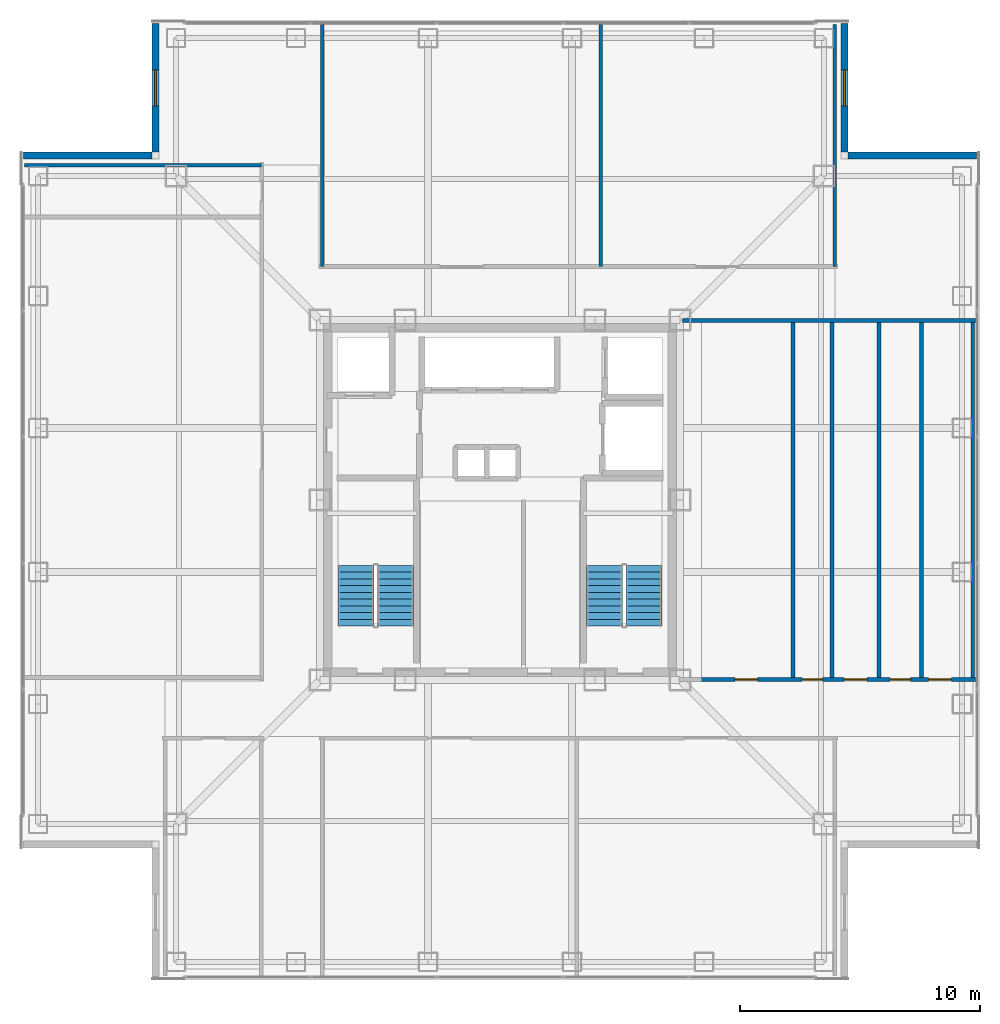
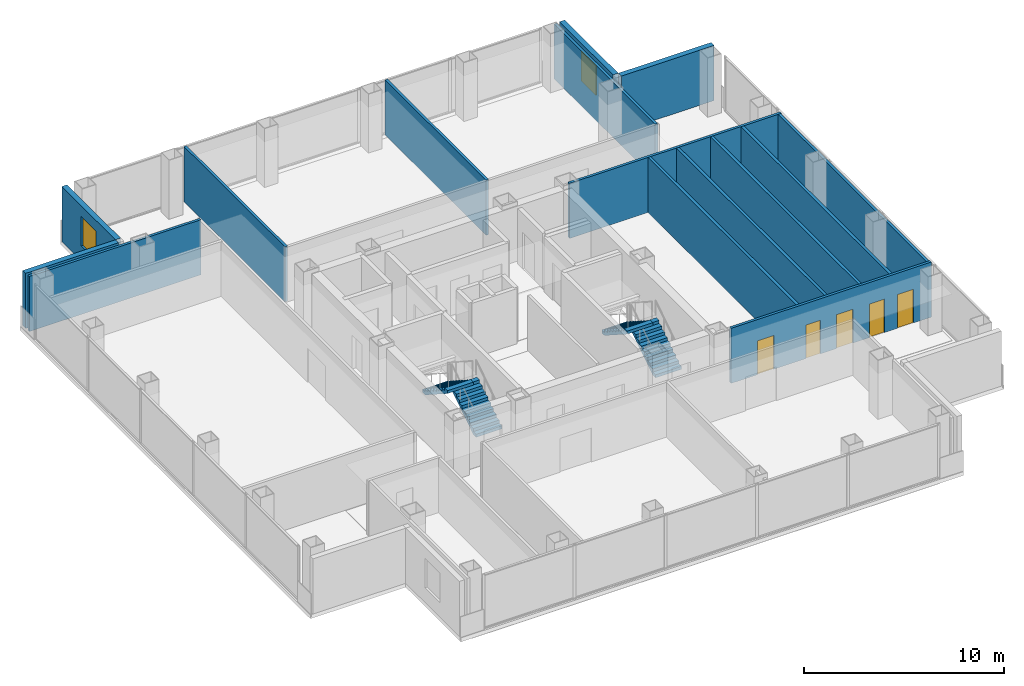
# One storey, part 12 of 18: 15 walls, 5 doors, 4 stair flights, 2 windows, 7 openings, 2 elements without a shape of their own.
"""IFC4 building model written with IfcOpenShell, lengths in metres."""

import ifcopenshell
import ifcopenshell.guid

model = None  # the IFC model being written
_history = None  # IfcOwnerHistory: only IFC2X3 demands one
_inside = {}  # id of a spatial element -> (the spatial element, [elements in it])
_under = {}  # id of a project, library or spatial element -> (it, [spatial elements below it])
_declared = {}  # id of a project -> (the project, [libraries it declares])
_typed = {}  # id of a type object -> (the type object, [elements of that type])
_made_of = {}  # id of a material, layer set ... -> (it, [elements and type objects made of it])


def new_model(schema):
    """Start an empty IFC model of exactly this schema.

    Asked for "IFC4X3", IfcOpenShell would pick the latest addendum, in which some entities
    have other attributes; the version numbers below select the first issue.
    IFC2X3 requires an IfcOwnerHistory on every rooted entity: one is made here for all.
    """
    global model, _history
    if schema == "IFC4X3":
        model = ifcopenshell.file(schema_version=(4, 3, 0, 0))
    else:
        model = ifcopenshell.file(schema=schema)
    _inside.clear()
    _under.clear()
    _declared.clear()
    _typed.clear()
    _made_of.clear()
    _history = None
    if model.schema == "IFC2X3":
        org = make("IfcOrganization", Name="unknown")
        user = make(
            "IfcPersonAndOrganization",
            ThePerson=make("IfcPerson", FamilyName="unknown"),
            TheOrganization=org,
        )
        app = make(
            "IfcApplication",
            ApplicationDeveloper=org,
            Version="unknown",
            ApplicationFullName="unknown",
            ApplicationIdentifier="unknown",
        )
        _history = make(
            "IfcOwnerHistory",
            OwningUser=user,
            OwningApplication=app,
            ChangeAction="ADDED",
            CreationDate=0,
        )
    return model


def make(cls, **values):
    """One entity of the class cls with the attributes given. An attribute that is None is left unset."""
    return model.create_entity(
        cls, **{name: value for name, value in values.items() if value is not None}
    )


def rooted(cls, **values):
    """An entity with a GlobalId (a new one), such as an element, a storey or a relation."""
    return make(cls, GlobalId=ifcopenshell.guid.new(), OwnerHistory=_history, **values)


def si_unit(unit_type, name, prefix=None):
    """IfcSIUnit, for example si_unit("LENGTHUNIT", "METRE", prefix="MILLI")."""
    return make("IfcSIUnit", UnitType=unit_type, Prefix=prefix, Name=name)


def assignment(units):
    """IfcUnitAssignment: the units of a project."""
    return None if units is None else make("IfcUnitAssignment", Units=units)


def point(xyz):
    """IfcCartesianPoint."""
    return None if xyz is None else make("IfcCartesianPoint", Coordinates=xyz)


def direction(xyz):
    """IfcDirection."""
    return None if xyz is None else make("IfcDirection", DirectionRatios=xyz)


def frame(location, z_axis=None, x_axis=None):
    """IfcAxis2Placement3D, a coordinate frame: its origin and axes. An axis left out is left unset."""
    return make(
        "IfcAxis2Placement3D",
        Location=point(location),
        Axis=direction(z_axis),
        RefDirection=direction(x_axis),
    )


def frame_2d(location, x_axis=None):
    """IfcAxis2Placement2D, a coordinate frame in the plane: its origin and x axis."""
    return make(
        "IfcAxis2Placement2D", Location=point(location), RefDirection=direction(x_axis)
    )


def origin():
    """The frame at (0, 0, 0) with its axes left unset."""
    return frame((0.0, 0.0, 0.0))


def place(relative_to, where):
    """IfcLocalPlacement: puts the frame where relative to a parent placement (None: the world)."""
    return make(
        "IfcLocalPlacement", PlacementRelTo=relative_to, RelativePlacement=where
    )


def context(
    kind, dimensions, precision=None, world=None, true_north=None, identifier=None
):
    """IfcGeometricRepresentationContext, for example the 3D "Model" context."""
    return make(
        "IfcGeometricRepresentationContext",
        ContextIdentifier=identifier,
        ContextType=kind,
        CoordinateSpaceDimension=dimensions,
        Precision=precision,
        WorldCoordinateSystem=world,
        TrueNorth=true_north,
    )


def subcontext(parent, identifier, kind, view, scale=None):
    """IfcGeometricRepresentationSubContext, for example "Body" below "Model"."""
    return make(
        "IfcGeometricRepresentationSubContext",
        ContextIdentifier=identifier,
        ContextType=kind,
        ParentContext=parent,
        TargetScale=scale,
        TargetView=view,
    )


def project(units=None, contexts=None):
    """IfcProject with its units and contexts."""
    return rooted(
        "IfcProject",
        Name="project",
        RepresentationContexts=contexts,
        UnitsInContext=assignment(units),
    )


def spatial(cls, under=None, at=None, **own):
    """A site, building, storey or space (cls), placed at a placement, below another one or the project."""
    s = rooted(cls, ObjectPlacement=at, **own)
    if under is not None:
        _under.setdefault(under.id(), (under, []))[1].append(s)
    return s


def polyline(points):
    """IfcPolyline through the points."""
    return make("IfcPolyline", Points=[point(p) for p in points])


def profile(cls, at=None, kind="AREA", **sizes):
    """A parametric profile (cls). Its sizes go by their IFC names, for example OverallWidth=200.0."""
    return make(cls, ProfileType=kind, Position=at, **sizes)


def rectangle(**sizes):
    """IfcRectangleProfileDef."""
    return profile("IfcRectangleProfileDef", **sizes)


def outline(outer, holes=None, kind="AREA"):
    """IfcArbitraryClosedProfileDef: a profile drawn as a closed curve; with holes, ...WithVoids."""
    if holes is None:
        return make("IfcArbitraryClosedProfileDef", ProfileType=kind, OuterCurve=outer)
    return make(
        "IfcArbitraryProfileDefWithVoids",
        ProfileType=kind,
        OuterCurve=outer,
        InnerCurves=holes,
    )


def extrude(swept, where, along, depth):
    """IfcExtrudedAreaSolid: the profile swept, set in the frame where, extruded along a direction by depth."""
    return make(
        "IfcExtrudedAreaSolid",
        SweptArea=swept,
        Position=where,
        ExtrudedDirection=direction(along),
        Depth=depth,
    )


def shape(context_of_items, identifier, shape_type, items):
    """IfcShapeRepresentation: the items that make up one representation, for example the "Body"."""
    return make(
        "IfcShapeRepresentation",
        ContextOfItems=context_of_items,
        RepresentationIdentifier=identifier,
        RepresentationType=shape_type,
        Items=items,
    )


def material(Name=None, Category=None):
    """IfcMaterial."""
    return make("IfcMaterial", Name=Name, Category=Category)


def layer(
    of_material, thickness, ventilated=None, Name=None, Category=None, Priority=None
):
    """IfcMaterialLayer: one layer of a wall or slab, of a material (None: an air gap)."""
    return make(
        "IfcMaterialLayer",
        Material=of_material,
        LayerThickness=thickness,
        IsVentilated=ventilated,
        Name=Name,
        Category=Category,
        Priority=Priority,
    )


def layer_set(layers, Name=None):
    """IfcMaterialLayerSet."""
    return make("IfcMaterialLayerSet", MaterialLayers=layers, LayerSetName=Name)


def made_of(thing, what):
    """Note that an element or type object is made of a material, layer set ...; save() writes the relation."""
    if what is not None:
        _made_of.setdefault(what.id(), (what, []))[1].append(thing)
    return thing


def type_object(cls, material=None, **own):
    """A type object (cls), such as IfcWallType, which elements share."""
    return made_of(rooted(cls, **own), material)


def element(
    cls,
    number,
    at=None,
    inside=None,
    cuts=None,
    type_object=None,
    material=None,
    context=None,
    identifier="Body",
    shape_type=None,
    held_by="IfcProductDefinitionShape",
    body=None,
    shapes=None,
    **own,
):
    """One element of the class cls, such as IfcWall. Its Tag is "e" and its number.

    at: its placement. inside: the storey or other place that contains it. cuts: it is an
    opening in that element (IfcRelVoidsElement). A single representation is given by context,
    identifier, shape_type and body (its items); several are given by shapes. held_by: the class
    of the entity that holds the representations. save() writes the other relations.
    """
    e = rooted(cls, Tag="e%d" % number, ObjectPlacement=at, **own)
    if body is not None:
        shapes = [shape(context, identifier, shape_type, body)]
    if shapes is not None:
        e.Representation = make(held_by, Representations=shapes)
    if inside is not None:
        _inside.setdefault(inside.id(), (inside, []))[1].append(e)
    if cuts is not None:
        rooted(
            "IfcRelVoidsElement", RelatingBuildingElement=cuts, RelatedOpeningElement=e
        )
    if type_object is not None:
        _typed.setdefault(type_object.id(), (type_object, []))[1].append(e)
    return made_of(e, material)


def fill(opening, filler):
    """IfcRelFillsElement: the door or window that sits in an opening."""
    return rooted(
        "IfcRelFillsElement",
        RelatingOpeningElement=opening,
        RelatedBuildingElement=filler,
    )


def aggregate(whole, parts):
    """IfcRelAggregates: a whole, such as a stair, and the parts it consists of."""
    return rooted("IfcRelAggregates", RelatingObject=whole, RelatedObjects=parts)


def save(model, path):
    """Write the relations noted so far, then the file.

    IfcRelAggregates (storeys below a building ...), IfcRelContainedInSpatialStructure (elements
    in a storey), IfcRelDefinesByType, IfcRelAssociatesMaterial and IfcRelDeclares: one each for
    every whole, place, type object, material and project.
    """
    for whole, parts in _under.values():
        aggregate(whole, parts)
    for where, things in _inside.values():
        rooted(
            "IfcRelContainedInSpatialStructure",
            RelatedElements=things,
            RelatingStructure=where,
        )
    for kind, things in _typed.values():
        rooted("IfcRelDefinesByType", RelatedObjects=things, RelatingType=kind)
    for what, things in _made_of.values():
        rooted("IfcRelAssociatesMaterial", RelatedObjects=things, RelatingMaterial=what)
    for by, libraries in _declared.values():
        rooted("IfcRelDeclares", RelatingContext=by, RelatedDefinitions=libraries)
    model.write(path)


model = new_model("IFC4")

# Units and contexts
model_context = context("Model", 3, precision=1e-05, world=origin(), true_north=direction((0.0, 1.0)))
body_context = subcontext(model_context, "Body", "Model", "MODEL_VIEW")
ifc_project = project(units=[si_unit("LENGTHUNIT", "METRE"), si_unit("AREAUNIT", "SQUARE_METRE"), si_unit("VOLUMEUNIT", "CUBIC_METRE"), si_unit("PLANEANGLEUNIT", "RADIAN"), si_unit("MASSUNIT", "GRAM", prefix="KILO")], contexts=[model_context])

# Site, building, storey
site_placement = place(None, origin())
site = spatial("IfcSite", under=ifc_project, at=site_placement, CompositionType="ELEMENT")
building_placement = place(site_placement, origin())
building = spatial("IfcBuilding", under=site, at=building_placement, Name="Trevonay Congress Spire", CompositionType="ELEMENT")
storey_placement = place(building_placement, frame((0.0, 0.0, 198.60009765625)))
storey = spatial("IfcBuildingStorey", under=building, at=storey_placement, Name="L51", CompositionType="ELEMENT", Elevation=198.60009765625)

# Wall, openings, doors
ifc_material_1 = material(Name="Concrete C40/50", Category="concrete")
ifc_layer_1 = layer(ifc_material_1, 0.14990234375, Name="Concrete C40/50")
ifc_layer_set_1 = layer_set([ifc_layer_1], Name="Concrete C40/50")
wall_type_1 = type_object("IfcWallType", Name="WAL-CORR-150", PredefinedType="PARTITIONING", material=ifc_layer_set_1)
wall_1_placement = place(storey_placement, frame((8.280029296875, -7.47998046875, 0.0), z_axis=(0.0, 0.0, 1.0), x_axis=(1.0, 0.0, 0.0)))
wall_1 = element("IfcWall", 1, at=wall_1_placement, inside=storey, type_object=wall_type_1, Name="L51 interior wall WP-L51E-COR", PredefinedType="PARTITIONING", context=body_context, shape_type="SweptSolid", body=[
    extrude(rectangle(XDim=11.5400390625, YDim=0.14990234375, at=frame_2d((5.77001953125, 0.0))), origin(), (0.0, 0.0, 1.0), 3.35986328125),
])
opening_1_placement = place(wall_1_placement, frame((1.5048828125, 0.0, 0.0)))
opening_1 = element("IfcOpeningElement", 2, at=opening_1_placement, cuts=wall_1, Name="Opening D07", PredefinedType="OPENING", context=body_context, shape_type="SweptSolid", body=[
    extrude(rectangle(XDim=0.949951171875, YDim=2.06005859375, at=frame_2d((0.47509765625, 1.030029296875))), frame((0.0, 0.0849609375, 0.0), z_axis=(0.0, -1.0, 0.0), x_axis=(1.0, 0.0, 0.0)), (0.0, 0.0, 1.0), 0.169921875),
])
opening_2_placement = place(wall_1_placement, frame((4.31005859375, 0.0, 0.0)))
opening_2 = element("IfcOpeningElement", 3, at=opening_2_placement, cuts=wall_1, Name="Opening D10", PredefinedType="OPENING", context=body_context, shape_type="SweptSolid", body=[
    extrude(rectangle(XDim=0.85009765625, YDim=2.050048828125, at=frame_2d((0.425048828125, 1.02490234375))), frame((0.0, 0.0849609375, 0.0), z_axis=(0.0, -1.0, 0.0), x_axis=(1.0, 0.0, 0.0)), (0.0, 0.0, 1.0), 0.169921875),
])
opening_3_placement = place(wall_1_placement, frame((6.06005859375, 0.0, 0.0)))
opening_3 = element("IfcOpeningElement", 4, at=opening_3_placement, cuts=wall_1, Name="Opening D07", PredefinedType="OPENING", context=body_context, shape_type="SweptSolid", body=[
    extrude(rectangle(XDim=0.949951171875, YDim=2.06005859375, at=frame_2d((0.47509765625, 1.030029296875))), frame((0.0, 0.0849609375, 0.0), z_axis=(0.0, -1.0, 0.0), x_axis=(1.0, 0.0, 0.0)), (0.0, 0.0, 1.0), 0.169921875),
])
opening_4_placement = place(wall_1_placement, frame((7.97509765625, 0.0, 0.0)))
opening_4 = element("IfcOpeningElement", 5, at=opening_4_placement, cuts=wall_1, Name="Opening D10", PredefinedType="OPENING", context=body_context, shape_type="SweptSolid", body=[
    extrude(rectangle(XDim=0.85009765625, YDim=2.050048828125, at=frame_2d((0.425048828125, 1.02490234375))), frame((0.0, 0.0849609375, 0.0), z_axis=(0.0, -1.0, 0.0), x_axis=(1.0, 0.0, 0.0)), (0.0, 0.0, 1.0), 0.169921875),
])
opening_5_placement = place(wall_1_placement, frame((9.574951171875, 0.0, 0.0)))
opening_5 = element("IfcOpeningElement", 6, at=opening_5_placement, cuts=wall_1, Name="Opening D07", PredefinedType="OPENING", context=body_context, shape_type="SweptSolid", body=[
    extrude(rectangle(XDim=0.949951171875, YDim=2.06005859375, at=frame_2d((0.47509765625, 1.030029296875))), frame((0.0, 0.0849609375, 0.0), z_axis=(0.0, -1.0, 0.0), x_axis=(1.0, 0.0, 0.0)), (0.0, 0.0, 1.0), 0.169921875),
])
ifc_material_2 = material(Name="Pale Anodised Aluminium EN AW-6063-T6", Category="aluminium")
door_type_1 = type_object("IfcDoorType", Name="DOR-OFFICE-95", OperationType="NOTDEFINED", PredefinedType="DOOR", material=ifc_material_2)
door_1_placement = place(opening_1_placement, origin())
door_1 = element("IfcDoor", 7, at=door_1_placement, inside=storey, type_object=door_type_1, Name="L51 Club Linen and Glassware Store Door", OperationType="SINGLE_SWING_RIGHT", OverallHeight=2.06005859375, OverallWidth=0.949951171875, PredefinedType="DOOR", context=body_context, shape_type="SweptSolid", body=[
    extrude(rectangle(XDim=0.949951171875, YDim=2.06005859375, at=frame_2d((0.47509765625, 1.030029296875))), frame((0.0, 0.02490234375, 0.0), z_axis=(0.0, -1.0, 0.0), x_axis=(1.0, 0.0, 0.0)), (0.0, 0.0, 1.0), 0.050048828125),
])
fill(opening_1, door_1)
door_2_placement = place(opening_3_placement, origin())
door_2 = element("IfcDoor", 8, at=door_2_placement, inside=storey, type_object=door_type_1, Name="L51 Floor Supplies and Copy Room Door", OperationType="SINGLE_SWING_RIGHT", OverallHeight=2.06005859375, OverallWidth=0.949951171875, PredefinedType="DOOR", context=body_context, shape_type="SweptSolid", body=[
    extrude(rectangle(XDim=0.949951171875, YDim=2.06005859375, at=frame_2d((0.47509765625, 1.030029296875))), frame((0.0, 0.02490234375, 0.0), z_axis=(0.0, -1.0, 0.0), x_axis=(1.0, 0.0, 0.0)), (0.0, 0.0, 1.0), 0.050048828125),
])
fill(opening_3, door_2)
door_3_placement = place(opening_5_placement, origin())
door_3 = element("IfcDoor", 9, at=door_3_placement, inside=storey, type_object=door_type_1, Name="L51 Floor Supplies and Copy Room Door", OperationType="SINGLE_SWING_RIGHT", OverallHeight=2.06005859375, OverallWidth=0.949951171875, PredefinedType="DOOR", context=body_context, shape_type="SweptSolid", body=[
    extrude(rectangle(XDim=0.949951171875, YDim=2.06005859375, at=frame_2d((0.47509765625, 1.030029296875))), frame((0.0, 0.02490234375, 0.0), z_axis=(0.0, -1.0, 0.0), x_axis=(1.0, 0.0, 0.0)), (0.0, 0.0, 1.0), 0.050048828125),
])
fill(opening_5, door_3)
door_type_2 = type_object("IfcDoorType", Name="DOR-WC-85", OperationType="NOTDEFINED", PredefinedType="DOOR", material=ifc_material_2)
door_4_placement = place(opening_2_placement, origin())
door_4 = element("IfcDoor", 10, at=door_4_placement, inside=storey, type_object=door_type_2, Name="L51 Female Restroom WC Door", OperationType="SINGLE_SWING_LEFT", OverallHeight=2.050048828125, OverallWidth=0.85009765625, PredefinedType="DOOR", context=body_context, shape_type="SweptSolid", body=[
    extrude(rectangle(XDim=0.85009765625, YDim=2.050048828125, at=frame_2d((0.425048828125, 1.02490234375))), frame((0.0, 0.02490234375, 0.0), z_axis=(0.0, -1.0, 0.0), x_axis=(1.0, 0.0, 0.0)), (0.0, 0.0, 1.0), 0.050048828125),
])
fill(opening_2, door_4)
door_5_placement = place(opening_4_placement, origin())
door_5 = element("IfcDoor", 11, at=door_5_placement, inside=storey, type_object=door_type_2, Name="L51 Male Restroom WC Door", OperationType="SINGLE_SWING_LEFT", OverallHeight=2.050048828125, OverallWidth=0.85009765625, PredefinedType="DOOR", context=body_context, shape_type="SweptSolid", body=[
    extrude(rectangle(XDim=0.85009765625, YDim=2.050048828125, at=frame_2d((0.425048828125, 1.02490234375))), frame((0.0, 0.02490234375, 0.0), z_axis=(0.0, -1.0, 0.0), x_axis=(1.0, 0.0, 0.0)), (0.0, 0.0, 1.0), 0.050048828125),
])
fill(opening_4, door_5)

# Wall, opening, window
ifc_material_3 = material(Name="Precast concrete C40/50", Category="concrete")
ifc_layer_2 = layer(ifc_material_3, 0.300048828125, Name="Precast concrete C40/50")
ifc_layer_set_2 = layer_set([ifc_layer_2], Name="Precast concrete C40/50")
wall_type_2 = type_object("IfcWallType", Name="WAL-EXT-PRECAST-300", PredefinedType="SOLIDWALL", material=ifc_layer_set_2)
wall_2_placement = place(storey_placement, frame((14.35009765625, 19.85009765625, 0.0), z_axis=(0.0, 0.0, 1.0), x_axis=(0.0, -1.0, 0.0)))
wall_2 = element("IfcWall", 12, at=wall_2_placement, inside=storey, type_object=wall_type_2, Name="L51 NE re-entrant notch exterior wall 1", PredefinedType="SOLIDWALL", context=body_context, shape_type="SweptSolid", body=[
    extrude(rectangle(XDim=5.35009765625, YDim=0.300048828125, at=frame_2d((2.675048828125, 0.0))), origin(), (0.0, 0.0, 1.0), 3.35986328125),
])
opening_6_placement = place(wall_2_placement, frame((1.925048828125, 0.0, 0.89990234375)))
opening_6 = element("IfcOpeningElement", 13, at=opening_6_placement, cuts=wall_2, Name="Opening WN03", PredefinedType="OPENING", context=body_context, shape_type="SweptSolid", body=[
    extrude(rectangle(XDim=1.5, YDim=1.800048828125, at=frame_2d((0.75, 0.89990234375))), frame((0.0, 0.16015625, 0.0), z_axis=(0.0, -1.0, 0.0), x_axis=(1.0, 0.0, 0.0)), (0.0, 0.0, 1.0), 0.320068359375),
])
ifc_material_4 = material(Name="Insulated Low-E Vision Glass IGU", Category="glass")
window_type = type_object("IfcWindowType", Name="WIN-NOTCH-150X180", PartitioningType="SINGLE_PANEL", PredefinedType="WINDOW", material=ifc_material_4)
window_1_placement = place(opening_6_placement, origin())
window_1 = element("IfcWindow", 14, at=window_1_placement, inside=storey, type_object=window_type, Name="L51 NE corner notch window", OverallHeight=1.800048828125, OverallWidth=1.5, PartitioningType="SINGLE_PANEL", PredefinedType="WINDOW", context=body_context, shape_type="SweptSolid", body=[
    extrude(rectangle(XDim=1.5, YDim=1.800048828125, at=frame_2d((0.75, 0.89990234375))), frame((0.0, 0.030029296875, 0.0), z_axis=(0.0, -1.0, 0.0), x_axis=(1.0, 0.0, 0.0)), (0.0, 0.0, 1.0), 0.06005859375),
])
fill(opening_6, window_1)

# Wall
wall_3_placement = place(storey_placement, frame((19.85009765625, 14.35009765625, 0.0), z_axis=(0.0, 0.0, 1.0), x_axis=(-1.0, 0.0, 0.0)))
element("IfcWall", 15, at=wall_3_placement, inside=storey, type_object=wall_type_2, Name="L51 NE re-entrant notch exterior wall 2", PredefinedType="SOLIDWALL", context=body_context, shape_type="SweptSolid", body=[
    extrude(rectangle(XDim=5.35009765625, YDim=0.300048828125, at=frame_2d((2.675048828125, 0.0))), origin(), (0.0, 0.0, 1.0), 3.35986328125),
])

# Wall, opening, window
wall_4_placement = place(storey_placement, frame((-14.35009765625, 19.85009765625, 0.0), z_axis=(0.0, 0.0, 1.0), x_axis=(0.0, -1.0, 0.0)))
wall_4 = element("IfcWall", 16, at=wall_4_placement, inside=storey, type_object=wall_type_2, Name="L51 NW re-entrant notch exterior wall 1", PredefinedType="SOLIDWALL", context=body_context, shape_type="SweptSolid", body=[
    extrude(rectangle(XDim=5.35009765625, YDim=0.300048828125, at=frame_2d((2.675048828125, 0.0))), origin(), (0.0, 0.0, 1.0), 3.35986328125),
])
opening_7_placement = place(wall_4_placement, frame((1.925048828125, 0.0, 0.89990234375)))
opening_7 = element("IfcOpeningElement", 17, at=opening_7_placement, cuts=wall_4, Name="Opening WN03", PredefinedType="OPENING", context=body_context, shape_type="SweptSolid", body=[
    extrude(rectangle(XDim=1.5, YDim=1.800048828125, at=frame_2d((0.75, 0.89990234375))), frame((0.0, 0.16015625, 0.0), z_axis=(0.0, -1.0, 0.0), x_axis=(1.0, 0.0, 0.0)), (0.0, 0.0, 1.0), 0.320068359375),
])
window_2_placement = place(opening_7_placement, origin())
window_2 = element("IfcWindow", 18, at=window_2_placement, inside=storey, type_object=window_type, Name="L51 NW corner notch window", OverallHeight=1.800048828125, OverallWidth=1.5, PartitioningType="SINGLE_PANEL", PredefinedType="WINDOW", context=body_context, shape_type="SweptSolid", body=[
    extrude(rectangle(XDim=1.5, YDim=1.800048828125, at=frame_2d((0.75, 0.89990234375))), frame((0.0, 0.030029296875, 0.0), z_axis=(0.0, -1.0, 0.0), x_axis=(1.0, 0.0, 0.0)), (0.0, 0.0, 1.0), 0.06005859375),
])
fill(opening_7, window_2)

# Walls
wall_5_placement = place(storey_placement, frame((-19.85009765625, 14.35009765625, 0.0), z_axis=(0.0, 0.0, 1.0), x_axis=(1.0, 0.0, 0.0)))
element("IfcWall", 19, at=wall_5_placement, inside=storey, type_object=wall_type_2, Name="L51 NW re-entrant notch exterior wall 2", PredefinedType="SOLIDWALL", context=body_context, shape_type="SweptSolid", body=[
    extrude(rectangle(XDim=5.35009765625, YDim=0.300048828125, at=frame_2d((2.675048828125, 0.0))), origin(), (0.0, 0.0, 1.0), 3.35986328125),
])
ifc_layer_3 = layer(ifc_material_1, 0.14990234375, Name="Concrete C40/50")
ifc_layer_set_3 = layer_set([ifc_layer_3], Name="Concrete C40/50")
wall_type_3 = type_object("IfcWallType", Name="WAL-PART-150", PredefinedType="PARTITIONING", material=ifc_layer_set_3)
wall_6_placement = place(storey_placement, frame((-19.820068359375, 13.949951171875, 0.0), z_axis=(0.0, 0.0, 1.0), x_axis=(1.0, 0.0, 0.0)))
element("IfcWall", 20, at=wall_6_placement, inside=storey, type_object=wall_type_3, Name="L51 interior wall WP-L51NW-DIV3", PredefinedType="PARTITIONING", context=body_context, shape_type="SweptSolid", body=[
    extrude(rectangle(XDim=9.89013671875, YDim=0.14990234375, at=frame_2d((4.945068359375, 0.0))), origin(), (0.0, 0.0, 1.0), 3.35986328125),
])
for number, where, z_axis, x_axis, name in (
    (21, (-7.39990234375, 9.72998046875, 0.0), (0.0, 0.0, 1.0), (0.0, 1.0, 0.0), "L51 interior wall WP-L51N-DIV1"),
    (22, (4.199951171875, 9.72998046875, 0.0), (0.0, 0.0, 1.0), (0.0, 1.0, 0.0), "L51 interior wall WP-L51N-DIV2"),
    (23, (13.949951171875, 9.72998046875, 0.0), (0.0, 0.0, 1.0), (0.0, 1.0, 0.0), "L51 interior wall WP-L51N-DIV3"),
):
    element("IfcWall", number, at=place(storey_placement, frame(where, z_axis=z_axis, x_axis=x_axis)), inside=storey, type_object=wall_type_3, Name=name, PredefinedType="PARTITIONING", context=body_context, shape_type="SweptSolid", body=[
        extrude(rectangle(XDim=10.090087890625, YDim=0.14990234375, at=frame_2d((5.044921875, 0.0))), origin(), (0.0, 0.0, 1.0), 3.35986328125),
    ])
wall_7_placement = place(storey_placement, frame((19.699951171875, -7.47998046875, 0.0), z_axis=(0.0, 0.0, 1.0), x_axis=(0.0, 1.0, 0.0)))
element("IfcWall", 24, at=wall_7_placement, inside=storey, type_object=wall_type_3, Name="L51 interior wall WP-L51E-DIV3", PredefinedType="PARTITIONING", context=body_context, shape_type="SweptSolid", body=[
    extrude(rectangle(XDim=14.89990234375, YDim=0.14990234375, at=frame_2d((7.449951171875, 0.0))), origin(), (0.0, 0.0, 1.0), 3.35986328125),
])
wall_8_placement = place(storey_placement, frame((7.60009765625, 7.47998046875, 0.0), z_axis=(0.0, 0.0, 1.0), x_axis=(1.0, 0.0, 0.0)))
element("IfcWall", 25, at=wall_8_placement, inside=storey, type_object=wall_type_3, Name="L51 interior wall WP-L51E-NCLS", PredefinedType="PARTITIONING", context=body_context, shape_type="SweptSolid", body=[
    extrude(rectangle(XDim=12.219970703125, YDim=0.14990234375, at=frame_2d((6.10986328125, 0.0))), origin(), (0.0, 0.0, 1.0), 3.35986328125),
])
ifc_layer_4 = layer(ifc_material_1, 0.1650390625, Name="Concrete C40/50")
ifc_layer_set_4 = layer_set([ifc_layer_4], Name="Concrete C40/50")
wall_type_4 = type_object("IfcWallType", Name="WAL-WET-165", PredefinedType="PLUMBINGWALL", material=ifc_layer_set_4)
for number, where, z_axis, x_axis, name in (
    (26, (13.830078125, -7.47998046875, 0.0), (0.0, 0.0, 1.0), (0.0, 1.0, 0.0), "L51 interior wall WP-L51E-WCS2"),
    (27, (17.56005859375, -7.47998046875, 0.0), (0.0, 0.0, 1.0), (0.0, 1.0, 0.0), "L51 interior wall WP-L51E-WCS3"),
    (28, (12.199951171875, -7.47998046875, 0.0), (0.0, 0.0, 1.0), (0.0, 1.0, 0.0), "L51 interior wall WP-L51E-DIV1"),
    (29, (15.800048828125, -7.47998046875, 0.0), (0.0, 0.0, 1.0), (0.0, 1.0, 0.0), "L51 interior wall WP-L51E-DIV2"),
):
    element("IfcWall", number, at=place(storey_placement, frame(where, z_axis=z_axis, x_axis=x_axis)), inside=storey, type_object=wall_type_4, Name=name, PredefinedType="PLUMBINGWALL", context=body_context, shape_type="SweptSolid", body=[
        extrude(rectangle(XDim=14.89990234375, YDim=0.1650390625, at=frame_2d((7.449951171875, 0.0))), origin(), (0.0, 0.0, 1.0), 3.35986328125),
    ])

# Stair, stair flights
stair_type_1 = type_object("IfcStairType", Name="STR-ST-1", PredefinedType="HALF_TURN_STAIR", material=ifc_material_1)
stair_1_placement = place(storey_placement, origin())
stair_1 = element("IfcStair", 30, at=stair_1_placement, inside=storey, type_object=stair_type_1, Name="L51 Protected Exit Stair ST-1", PredefinedType="HALF_TURN_STAIR")
stair_flight_type_1 = type_object("IfcStairFlightType", Name="SFL-ST-1", PredefinedType="STRAIGHT", material=ifc_material_1)
stair_flight_1_placement = place(storey_placement, frame((-4.35009765625, -5.25, 0.0), z_axis=(0.0, 0.0, 1.0), x_axis=(0.0, 1.0, 0.0)))
stair_flight_1 = element("IfcStairFlight", 31, at=stair_flight_1_placement, type_object=stair_flight_type_1, Name="ST-1 flight 1", NumberOfRisers=10, NumberOfTreads=9, PredefinedType="STRAIGHT", RiserHeight=0.18, TreadLength=0.28, context=body_context, shape_type="SweptSolid", body=[
    extrude(outline(polyline([(0.0, 0.0), (0.0, 0.179931640625), (0.280029296875, 0.179931640625), (0.280029296875, 0.360107421875), (0.56005859375, 0.360107421875), (0.56005859375, 0.5400390625), (0.840087890625, 0.5400390625), (0.840087890625, 0.719970703125), (1.1201171875, 0.719970703125), (1.1201171875, 0.89990234375), (1.39990234375, 0.89990234375), (1.39990234375, 1.080078125), (1.679931640625, 1.080078125), (1.679931640625, 1.260009765625), (1.9599609375, 1.260009765625), (1.9599609375, 1.43994140625), (2.239990234375, 1.43994140625), (2.239990234375, 1.6201171875), (2.52001953125, 1.6201171875), (2.52001953125, 1.800048828125), (2.52001953125, 1.44189453125), (0.277099609375, 0.0), (0.0, 0.0)])), frame((0.0, 0.75, 0.0), z_axis=(0.0, -1.0, 0.0), x_axis=(1.0, 0.0, 0.0)), (0.0, 0.0, 1.0), 1.5),
])
stair_flight_2_placement = place(storey_placement, frame((-6.0, -2.72998046875, 1.7998046875), z_axis=(0.0, 0.0, 1.0), x_axis=(0.0, -1.0, 0.0)))
stair_flight_2 = element("IfcStairFlight", 32, at=stair_flight_2_placement, type_object=stair_flight_type_1, Name="ST-1 flight 2", NumberOfRisers=10, NumberOfTreads=9, PredefinedType="STRAIGHT", RiserHeight=0.18, TreadLength=0.28, context=body_context, shape_type="SweptSolid", body=[
    extrude(outline(polyline([(0.0, 0.0), (0.0, 0.179931640625), (0.280029296875, 0.179931640625), (0.280029296875, 0.360107421875), (0.56005859375, 0.360107421875), (0.56005859375, 0.5400390625), (0.840087890625, 0.5400390625), (0.840087890625, 0.719970703125), (1.1201171875, 0.719970703125), (1.1201171875, 0.89990234375), (1.39990234375, 0.89990234375), (1.39990234375, 1.080078125), (1.679931640625, 1.080078125), (1.679931640625, 1.260009765625), (1.9599609375, 1.260009765625), (1.9599609375, 1.43994140625), (2.239990234375, 1.43994140625), (2.239990234375, 1.6201171875), (2.52001953125, 1.6201171875), (2.52001953125, 1.800048828125), (2.52001953125, 1.44189453125), (0.277099609375, 0.0), (0.0, 0.0)])), frame((0.0, 0.75, 0.0), z_axis=(0.0, -1.0, 0.0), x_axis=(1.0, 0.0, 0.0)), (0.0, 0.0, 1.0), 1.5),
])
aggregate(stair_1, [stair_flight_1, stair_flight_2])

stair_type_2 = type_object("IfcStairType", Name="STR-ST-2", PredefinedType="HALF_TURN_STAIR", material=ifc_material_1)
stair_2_placement = place(storey_placement, origin())
stair_2 = element("IfcStair", 33, at=stair_2_placement, inside=storey, type_object=stair_type_2, Name="L51 Protected Exit Stair ST-2", PredefinedType="HALF_TURN_STAIR")
stair_flight_type_2 = type_object("IfcStairFlightType", Name="SFL-ST-2", PredefinedType="STRAIGHT", material=ifc_material_1)
stair_flight_3_placement = place(storey_placement, frame((6.0, -5.25, 0.0), z_axis=(0.0, 0.0, 1.0), x_axis=(0.0, 1.0, 0.0)))
stair_flight_3 = element("IfcStairFlight", 34, at=stair_flight_3_placement, type_object=stair_flight_type_2, Name="ST-2 flight 1", NumberOfRisers=10, NumberOfTreads=9, PredefinedType="STRAIGHT", RiserHeight=0.18, TreadLength=0.28, context=body_context, shape_type="SweptSolid", body=[
    extrude(outline(polyline([(0.0, 0.0), (0.0, 0.179931640625), (0.280029296875, 0.179931640625), (0.280029296875, 0.360107421875), (0.56005859375, 0.360107421875), (0.56005859375, 0.5400390625), (0.840087890625, 0.5400390625), (0.840087890625, 0.719970703125), (1.1201171875, 0.719970703125), (1.1201171875, 0.89990234375), (1.39990234375, 0.89990234375), (1.39990234375, 1.080078125), (1.679931640625, 1.080078125), (1.679931640625, 1.260009765625), (1.9599609375, 1.260009765625), (1.9599609375, 1.43994140625), (2.239990234375, 1.43994140625), (2.239990234375, 1.6201171875), (2.52001953125, 1.6201171875), (2.52001953125, 1.800048828125), (2.52001953125, 1.44189453125), (0.277099609375, 0.0), (0.0, 0.0)])), frame((0.0, 0.75, 0.0), z_axis=(0.0, -1.0, 0.0), x_axis=(1.0, 0.0, 0.0)), (0.0, 0.0, 1.0), 1.5),
])
stair_flight_4_placement = place(storey_placement, frame((4.35009765625, -2.72998046875, 1.7998046875), z_axis=(0.0, 0.0, 1.0), x_axis=(0.0, -1.0, 0.0)))
stair_flight_4 = element("IfcStairFlight", 35, at=stair_flight_4_placement, type_object=stair_flight_type_2, Name="ST-2 flight 2", NumberOfRisers=10, NumberOfTreads=9, PredefinedType="STRAIGHT", RiserHeight=0.18, TreadLength=0.28, context=body_context, shape_type="SweptSolid", body=[
    extrude(outline(polyline([(0.0, 0.0), (0.0, 0.179931640625), (0.280029296875, 0.179931640625), (0.280029296875, 0.360107421875), (0.56005859375, 0.360107421875), (0.56005859375, 0.5400390625), (0.840087890625, 0.5400390625), (0.840087890625, 0.719970703125), (1.1201171875, 0.719970703125), (1.1201171875, 0.89990234375), (1.39990234375, 0.89990234375), (1.39990234375, 1.080078125), (1.679931640625, 1.080078125), (1.679931640625, 1.260009765625), (1.9599609375, 1.260009765625), (1.9599609375, 1.43994140625), (2.239990234375, 1.43994140625), (2.239990234375, 1.6201171875), (2.52001953125, 1.6201171875), (2.52001953125, 1.800048828125), (2.52001953125, 1.44189453125), (0.277099609375, 0.0), (0.0, 0.0)])), frame((0.0, 0.75, 0.0), z_axis=(0.0, -1.0, 0.0), x_axis=(1.0, 0.0, 0.0)), (0.0, 0.0, 1.0), 1.5),
])
aggregate(stair_2, [stair_flight_3, stair_flight_4])

save(model, "model.ifc")
